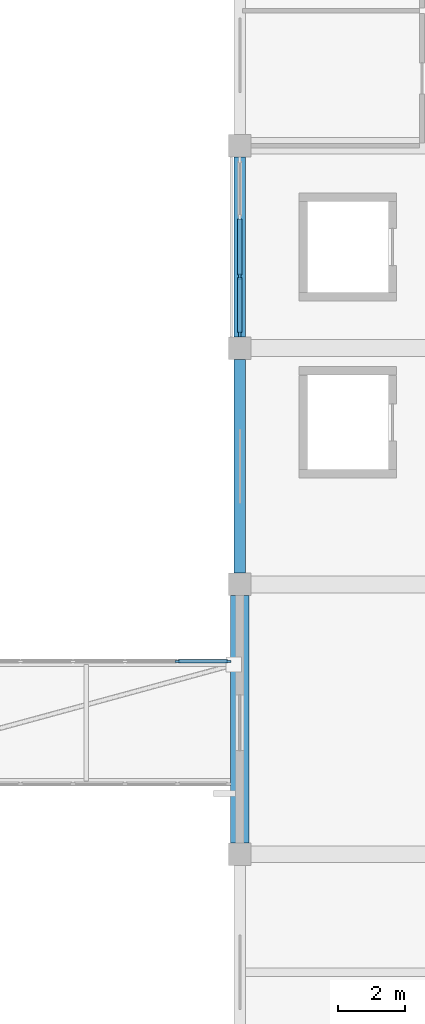
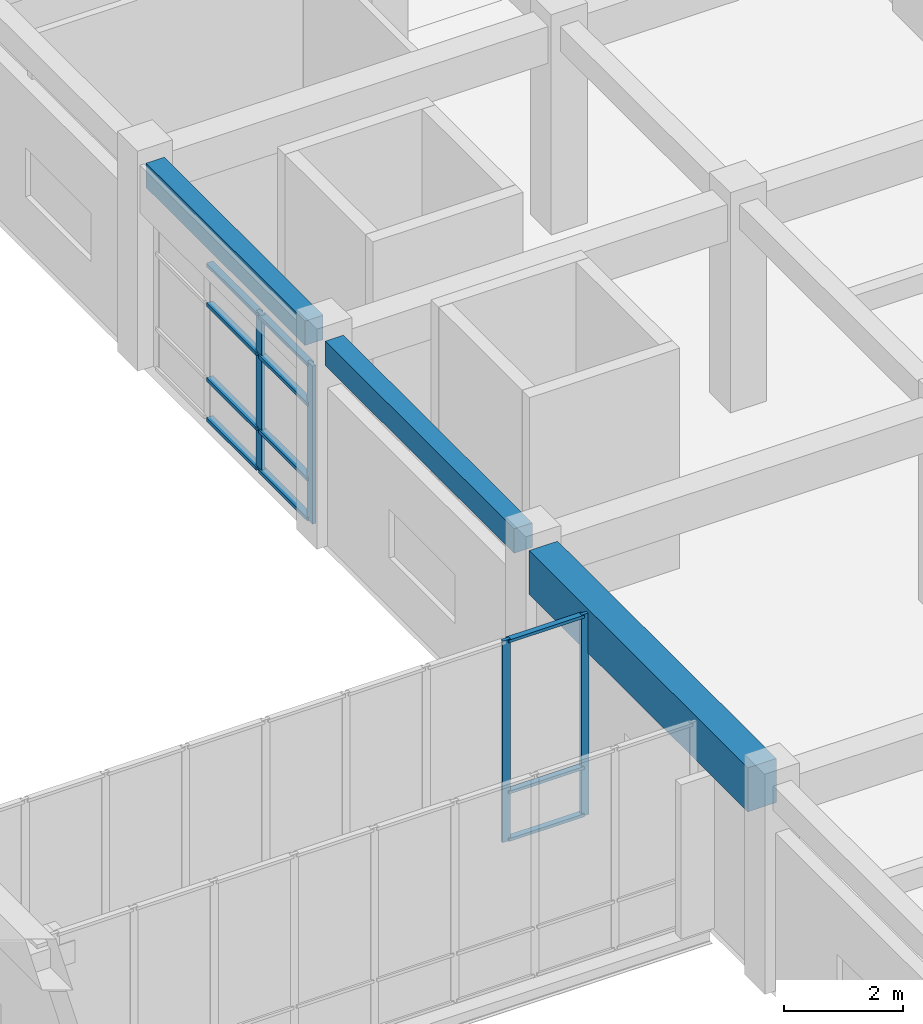
# One storey, part 23 of 72: 15 members, 3 beams, 2 elements without a shape of their own.
"""IFC4 building model written with IfcOpenShell, lengths in metres."""

import ifcopenshell
import ifcopenshell.guid

model = None  # the IFC model being written
_history = None  # IfcOwnerHistory: only IFC2X3 demands one
_inside = {}  # id of a spatial element -> (the spatial element, [elements in it])
_under = {}  # id of a project, library or spatial element -> (it, [spatial elements below it])
_declared = {}  # id of a project -> (the project, [libraries it declares])
_typed = {}  # id of a type object -> (the type object, [elements of that type])
_made_of = {}  # id of a material, layer set ... -> (it, [elements and type objects made of it])


def new_model(schema):
    """Start an empty IFC model of exactly this schema.

    Asked for "IFC4X3", IfcOpenShell would pick the latest addendum, in which some entities
    have other attributes; the version numbers below select the first issue.
    IFC2X3 requires an IfcOwnerHistory on every rooted entity: one is made here for all.
    """
    global model, _history
    if schema == "IFC4X3":
        model = ifcopenshell.file(schema_version=(4, 3, 0, 0))
    else:
        model = ifcopenshell.file(schema=schema)
    _inside.clear()
    _under.clear()
    _declared.clear()
    _typed.clear()
    _made_of.clear()
    _history = None
    if model.schema == "IFC2X3":
        org = make("IfcOrganization", Name="unknown")
        user = make(
            "IfcPersonAndOrganization",
            ThePerson=make("IfcPerson", FamilyName="unknown"),
            TheOrganization=org,
        )
        app = make(
            "IfcApplication",
            ApplicationDeveloper=org,
            Version="unknown",
            ApplicationFullName="unknown",
            ApplicationIdentifier="unknown",
        )
        _history = make(
            "IfcOwnerHistory",
            OwningUser=user,
            OwningApplication=app,
            ChangeAction="ADDED",
            CreationDate=0,
        )
    return model


def make(cls, **values):
    """One entity of the class cls with the attributes given. An attribute that is None is left unset."""
    return model.create_entity(
        cls, **{name: value for name, value in values.items() if value is not None}
    )


def rooted(cls, **values):
    """An entity with a GlobalId (a new one), such as an element, a storey or a relation."""
    return make(cls, GlobalId=ifcopenshell.guid.new(), OwnerHistory=_history, **values)


def si_unit(unit_type, name, prefix=None):
    """IfcSIUnit, for example si_unit("LENGTHUNIT", "METRE", prefix="MILLI")."""
    return make("IfcSIUnit", UnitType=unit_type, Prefix=prefix, Name=name)


def assignment(units):
    """IfcUnitAssignment: the units of a project."""
    return None if units is None else make("IfcUnitAssignment", Units=units)


def point(xyz):
    """IfcCartesianPoint."""
    return None if xyz is None else make("IfcCartesianPoint", Coordinates=xyz)


def direction(xyz):
    """IfcDirection."""
    return None if xyz is None else make("IfcDirection", DirectionRatios=xyz)


def frame(location, z_axis=None, x_axis=None):
    """IfcAxis2Placement3D, a coordinate frame: its origin and axes. An axis left out is left unset."""
    return make(
        "IfcAxis2Placement3D",
        Location=point(location),
        Axis=direction(z_axis),
        RefDirection=direction(x_axis),
    )


def frame_2d(location, x_axis=None):
    """IfcAxis2Placement2D, a coordinate frame in the plane: its origin and x axis."""
    return make(
        "IfcAxis2Placement2D", Location=point(location), RefDirection=direction(x_axis)
    )


def origin():
    """The frame at (0, 0, 0) with its axes left unset."""
    return frame((0.0, 0.0, 0.0))


def origin_2d():
    """The frame at (0, 0) in the plane with its x axis left unset."""
    return frame_2d((0.0, 0.0))


def place(relative_to, where):
    """IfcLocalPlacement: puts the frame where relative to a parent placement (None: the world)."""
    return make(
        "IfcLocalPlacement", PlacementRelTo=relative_to, RelativePlacement=where
    )


def context(
    kind, dimensions, precision=None, world=None, true_north=None, identifier=None
):
    """IfcGeometricRepresentationContext, for example the 3D "Model" context."""
    return make(
        "IfcGeometricRepresentationContext",
        ContextIdentifier=identifier,
        ContextType=kind,
        CoordinateSpaceDimension=dimensions,
        Precision=precision,
        WorldCoordinateSystem=world,
        TrueNorth=true_north,
    )


def subcontext(parent, identifier, kind, view, scale=None):
    """IfcGeometricRepresentationSubContext, for example "Body" below "Model"."""
    return make(
        "IfcGeometricRepresentationSubContext",
        ContextIdentifier=identifier,
        ContextType=kind,
        ParentContext=parent,
        TargetScale=scale,
        TargetView=view,
    )


def project(units=None, contexts=None):
    """IfcProject with its units and contexts."""
    return rooted(
        "IfcProject",
        Name="project",
        RepresentationContexts=contexts,
        UnitsInContext=assignment(units),
    )


def spatial(cls, under=None, at=None, **own):
    """A site, building, storey or space (cls), placed at a placement, below another one or the project."""
    s = rooted(cls, ObjectPlacement=at, **own)
    if under is not None:
        _under.setdefault(under.id(), (under, []))[1].append(s)
    return s


def profile(cls, at=None, kind="AREA", **sizes):
    """A parametric profile (cls). Its sizes go by their IFC names, for example OverallWidth=200.0."""
    return make(cls, ProfileType=kind, Position=at, **sizes)


def rectangle(**sizes):
    """IfcRectangleProfileDef."""
    return profile("IfcRectangleProfileDef", **sizes)


def extrude(swept, where, along, depth):
    """IfcExtrudedAreaSolid: the profile swept, set in the frame where, extruded along a direction by depth."""
    return make(
        "IfcExtrudedAreaSolid",
        SweptArea=swept,
        Position=where,
        ExtrudedDirection=direction(along),
        Depth=depth,
    )


def shape(context_of_items, identifier, shape_type, items):
    """IfcShapeRepresentation: the items that make up one representation, for example the "Body"."""
    return make(
        "IfcShapeRepresentation",
        ContextOfItems=context_of_items,
        RepresentationIdentifier=identifier,
        RepresentationType=shape_type,
        Items=items,
    )


def material(Name=None, Category=None):
    """IfcMaterial."""
    return make("IfcMaterial", Name=Name, Category=Category)


def layer(
    of_material, thickness, ventilated=None, Name=None, Category=None, Priority=None
):
    """IfcMaterialLayer: one layer of a wall or slab, of a material (None: an air gap)."""
    return make(
        "IfcMaterialLayer",
        Material=of_material,
        LayerThickness=thickness,
        IsVentilated=ventilated,
        Name=Name,
        Category=Category,
        Priority=Priority,
    )


def layer_set(layers, Name=None):
    """IfcMaterialLayerSet."""
    return make("IfcMaterialLayerSet", MaterialLayers=layers, LayerSetName=Name)


def material_profile(
    of_material, cross_section, Name=None, Category=None, Priority=None
):
    """IfcMaterialProfile: a cross section and its material."""
    return make(
        "IfcMaterialProfile",
        Name=Name,
        Material=of_material,
        Profile=cross_section,
        Priority=Priority,
        Category=Category,
    )


def profile_set(profiles, Name=None, composite=None):
    """IfcMaterialProfileSet."""
    return make(
        "IfcMaterialProfileSet",
        Name=Name,
        MaterialProfiles=profiles,
        CompositeProfile=composite,
    )


def made_of(thing, what):
    """Note that an element or type object is made of a material, layer set ...; save() writes the relation."""
    if what is not None:
        _made_of.setdefault(what.id(), (what, []))[1].append(thing)
    return thing


def type_object(cls, material=None, **own):
    """A type object (cls), such as IfcWallType, which elements share."""
    return made_of(rooted(cls, **own), material)


def element(
    cls,
    number,
    at=None,
    inside=None,
    cuts=None,
    type_object=None,
    material=None,
    context=None,
    identifier="Body",
    shape_type=None,
    held_by="IfcProductDefinitionShape",
    body=None,
    shapes=None,
    **own,
):
    """One element of the class cls, such as IfcWall. Its Tag is "e" and its number.

    at: its placement. inside: the storey or other place that contains it. cuts: it is an
    opening in that element (IfcRelVoidsElement). A single representation is given by context,
    identifier, shape_type and body (its items); several are given by shapes. held_by: the class
    of the entity that holds the representations. save() writes the other relations.
    """
    e = rooted(cls, Tag="e%d" % number, ObjectPlacement=at, **own)
    if body is not None:
        shapes = [shape(context, identifier, shape_type, body)]
    if shapes is not None:
        e.Representation = make(held_by, Representations=shapes)
    if inside is not None:
        _inside.setdefault(inside.id(), (inside, []))[1].append(e)
    if cuts is not None:
        rooted(
            "IfcRelVoidsElement", RelatingBuildingElement=cuts, RelatedOpeningElement=e
        )
    if type_object is not None:
        _typed.setdefault(type_object.id(), (type_object, []))[1].append(e)
    return made_of(e, material)


def aggregate(whole, parts):
    """IfcRelAggregates: a whole, such as a stair, and the parts it consists of."""
    return rooted("IfcRelAggregates", RelatingObject=whole, RelatedObjects=parts)


def save(model, path):
    """Write the relations noted so far, then the file.

    IfcRelAggregates (storeys below a building ...), IfcRelContainedInSpatialStructure (elements
    in a storey), IfcRelDefinesByType, IfcRelAssociatesMaterial and IfcRelDeclares: one each for
    every whole, place, type object, material and project.
    """
    for whole, parts in _under.values():
        aggregate(whole, parts)
    for where, things in _inside.values():
        rooted(
            "IfcRelContainedInSpatialStructure",
            RelatedElements=things,
            RelatingStructure=where,
        )
    for kind, things in _typed.values():
        rooted("IfcRelDefinesByType", RelatedObjects=things, RelatingType=kind)
    for what, things in _made_of.values():
        rooted("IfcRelAssociatesMaterial", RelatedObjects=things, RelatingMaterial=what)
    for by, libraries in _declared.values():
        rooted("IfcRelDeclares", RelatingContext=by, RelatedDefinitions=libraries)
    model.write(path)


model = new_model("IFC4")

# Units and contexts
model_context = context("Model", 3, precision=1e-05, world=origin(), true_north=direction((0.0, 1.0)))
body_context = subcontext(model_context, "Body", "Model", "MODEL_VIEW")
ifc_project = project(units=[si_unit("LENGTHUNIT", "METRE"), si_unit("AREAUNIT", "SQUARE_METRE"), si_unit("VOLUMEUNIT", "CUBIC_METRE"), si_unit("PLANEANGLEUNIT", "RADIAN"), si_unit("MASSUNIT", "GRAM", prefix="KILO")], contexts=[model_context])

# Site, building, storey
site_placement = place(None, origin())
site = spatial("IfcSite", under=ifc_project, at=site_placement, CompositionType="ELEMENT")
building_placement = place(site_placement, origin())
building = spatial("IfcBuilding", under=site, at=building_placement, Name="Naurynzar Civic Courthouse", CompositionType="ELEMENT")
storey_placement = place(building_placement, frame((0.0, 0.0, 9.89990234375)))
storey = spatial("IfcBuildingStorey", under=building, at=storey_placement, Name="L03", CompositionType="ELEMENT", Elevation=9.89990234375)

# Beams
ifc_material_1 = material(Name="Concrete C40/50", Category="concrete")
ifc_material_profile_1 = material_profile(ifc_material_1, rectangle(XDim=0.35009765625, YDim=0.5, at=origin_2d()), Name="RCB 350x500")
ifc_profile_set_1 = profile_set([ifc_material_profile_1], Name="Concrete C40/50")
beam_type_1 = type_object("IfcBeamType", Name="BM-RC-350x500", PredefinedType="BEAM", material=ifc_profile_set_1)
beam_1_placement = place(storey_placement, frame((130.0, 25.33740234375, 3.9501953125), z_axis=(0.0, 1.0, 0.0), x_axis=(-1.0, 0.0, 0.0)))
element("IfcBeam", 1, at=beam_1_placement, inside=storey, type_object=beam_type_1, Name="V5 girder Y-2426 L03", PredefinedType="BEAM", context=body_context, shape_type="SweptSolid", body=[
    extrude(rectangle(XDim=0.35009765625, YDim=0.5, at=origin_2d()), origin(), (0.0, 0.0, 1.0), 6.3251953125),
])
beam_2_placement = place(storey_placement, frame((130.0, 32.33740234375, 3.9501953125), z_axis=(0.0, 1.0, 0.0), x_axis=(-1.0, 0.0, 0.0)))
element("IfcBeam", 2, at=beam_2_placement, inside=storey, type_object=beam_type_1, Name="V5 girder Y-2427 L03", PredefinedType="BEAM", context=body_context, shape_type="SweptSolid", body=[
    extrude(rectangle(XDim=0.35009765625, YDim=0.5, at=origin_2d()), origin(), (0.0, 0.0, 1.0), 5.3251953125),
])
ifc_material_2 = material(Name="Concrete C40/50", Category="concrete")
ifc_material_profile_2 = material_profile(ifc_material_2, rectangle(XDim=0.550048828125, YDim=0.89990234375, at=origin_2d()), Name="RCB 550x900")
ifc_profile_set_2 = profile_set([ifc_material_profile_2], Name="Concrete C40/50")
beam_type_2 = type_object("IfcBeamType", Name="BM-RC-550x900", PredefinedType="T_BEAM", material=ifc_profile_set_2)
beam_3_placement = place(storey_placement, frame((130.0, 17.33740234375, 3.75), z_axis=(0.0, 1.0, 0.0), x_axis=(-1.0, 0.0, 0.0)))
element("IfcBeam", 3, at=beam_3_placement, inside=storey, type_object=beam_type_2, Name="V5 girder Y-2425 L03", PredefinedType="T_BEAM", context=body_context, shape_type="SweptSolid", body=[
    extrude(rectangle(XDim=0.550048828125, YDim=0.89990234375, at=origin_2d()), origin(), (0.0, 0.0, 1.0), 7.3251953125),
])

# Curtain wall, members
ifc_material_3 = material(Name="Aluminium 6063-T6", Category="aluminium")
ifc_layer_1 = layer(ifc_material_3, 0.14990234375)
ifc_layer_set_1 = layer_set([ifc_layer_1], Name="CW-BRIDGE-1500")
curtain_wall_type_1 = type_object("IfcCurtainWallType", Name="CW-BRIDGE-1500", PredefinedType="USERDEFINED", material=ifc_layer_set_1)
curtain_wall_1_placement = place(storey_placement, origin())
curtain_wall_1 = element("IfcCurtainWall", 4, at=curtain_wall_1_placement, inside=storey, type_object=curtain_wall_type_1, Name="BR-E2 glazed bridge screen L03.2", ObjectType="GLAZED BRIDGE SCREEN", PredefinedType="USERDEFINED")
ifc_material_4 = material(Name="Aluminium 6063-T6", Category="aluminium")
ifc_material_profile_3 = material_profile(ifc_material_4, rectangle(XDim=0.06005859375, YDim=0.14990234375, at=origin_2d()), Name="ALU MULLION 60x150")
ifc_profile_set_3 = profile_set([ifc_material_profile_3], Name="Aluminium 6063-T6")
member_type_1 = type_object("IfcMemberType", Name="CWM-60x150", PredefinedType="MULLION", material=ifc_profile_set_3)
member_1_placement = place(storey_placement, frame((129.669921875, 22.719970703125, 0.0), z_axis=(0.0, 0.0, 1.0), x_axis=(0.0, -1.0, 0.0)))
member_1 = element("IfcMember", 5, at=member_1_placement, type_object=member_type_1, Name="CW-03 mullion 1", PredefinedType="MULLION", context=body_context, shape_type="SweptSolid", body=[
    extrude(rectangle(XDim=0.06005859375, YDim=0.14990234375, at=origin_2d()), origin(), (0.0, 0.0, 1.0), 4.1201171875),
])
member_2_placement = place(storey_placement, frame((128.14990234375, 22.719970703125, 0.0), z_axis=(0.0, 0.0, 1.0), x_axis=(0.0, -1.0, 0.0)))
member_2 = element("IfcMember", 6, at=member_2_placement, type_object=member_type_1, Name="CW-03 mullion 2", PredefinedType="MULLION", context=body_context, shape_type="SweptSolid", body=[
    extrude(rectangle(XDim=0.06005859375, YDim=0.14990234375, at=origin_2d()), origin(), (0.0, 0.0, 1.0), 4.1201171875),
])

ifc_material_5 = material(Name="Aluminium 6063-T6", Category="aluminium")
ifc_layer_2 = layer(ifc_material_5, 0.159912109375)
ifc_layer_set_2 = layer_set([ifc_layer_2], Name="CW-UNIT-1800")
curtain_wall_type_2 = type_object("IfcCurtainWallType", Name="CW-UNIT-1800", PredefinedType="NOTDEFINED", material=ifc_layer_set_2)
curtain_wall_2_placement = place(storey_placement, origin())
curtain_wall_2 = element("IfcCurtainWall", 7, at=curtain_wall_2_placement, inside=storey, type_object=curtain_wall_type_2, Name="V5 unitised curtain wall 91 L03", PredefinedType="NOTDEFINED")
ifc_material_6 = material(Name="Aluminium 6063-T6", Category="aluminium")
ifc_material_profile_4 = material_profile(ifc_material_6, rectangle(XDim=0.070068359375, YDim=0.179931640625, at=origin_2d()), Name="ALU MULLION 70x180")
ifc_profile_set_4 = profile_set([ifc_material_profile_4], Name="Aluminium 6063-T6")
member_type_2 = type_object("IfcMemberType", Name="CWM-70x180", PredefinedType="MULLION", material=ifc_profile_set_4)
member_3_placement = place(storey_placement, frame((130.0, 32.422607421875, 0.0), z_axis=(0.0, 0.0, 1.0), x_axis=(-1.0, 0.0, 0.0)))
member_3 = element("IfcMember", 8, at=member_3_placement, type_object=member_type_2, Name="CW-02 mullion 1", PredefinedType="MULLION", context=body_context, shape_type="SweptSolid", body=[
    extrude(rectangle(XDim=0.070068359375, YDim=0.179931640625, at=origin_2d()), origin(), (0.0, 0.0, 1.0), 3.22998046875),
])
member_4_placement = place(storey_placement, frame((130.0, 34.129150390625, 0.0), z_axis=(0.0, 0.0, 1.0), x_axis=(-1.0, 0.0, 0.0)))
member_4 = element("IfcMember", 9, at=member_4_placement, type_object=member_type_2, Name="CW-02 mullion 2", PredefinedType="MULLION", context=body_context, shape_type="SweptSolid", body=[
    extrude(rectangle(XDim=0.070068359375, YDim=0.179931640625, at=origin_2d()), origin(), (0.0, 0.0, 1.0), 3.22998046875),
])

# Member
ifc_material_7 = material(Name="Aluminium 6063-T6", Category="aluminium")
ifc_material_profile_5 = material_profile(ifc_material_7, rectangle(XDim=0.110107421875, YDim=0.06005859375, at=origin_2d()), Name="ALU TRANSOM 60x110")
ifc_profile_set_5 = profile_set([ifc_material_profile_5], Name="Aluminium 6063-T6")
member_type_3 = type_object("IfcMemberType", Name="CWT-60x110", PredefinedType="USERDEFINED", material=ifc_profile_set_5)
member_5_placement = place(storey_placement, frame((129.639892578125, 22.719970703125, 0.030029296875), z_axis=(-1.0, 0.0, 0.0), x_axis=(0.0, -1.0, 0.0)))
member_5 = element("IfcMember", 10, at=member_5_placement, type_object=member_type_3, Name="CW-03 transom 1.1", ObjectType="TRANSOM", PredefinedType="USERDEFINED", context=body_context, shape_type="SweptSolid", body=[
    extrude(rectangle(XDim=0.110107421875, YDim=0.06005859375, at=origin_2d()), origin(), (0.0, 0.0, 1.0), 1.4599609375),
])

member_6_placement = place(storey_placement, frame((129.639892578125, 22.719970703125, 1.0), z_axis=(-1.0, 0.0, 0.0), x_axis=(0.0, -1.0, 0.0)))
member_6 = element("IfcMember", 11, at=member_6_placement, type_object=member_type_3, Name="CW-03 transom 1.2", ObjectType="TRANSOM", PredefinedType="USERDEFINED", context=body_context, shape_type="SweptSolid", body=[
    extrude(rectangle(XDim=0.110107421875, YDim=0.06005859375, at=origin_2d()), origin(), (0.0, 0.0, 1.0), 1.4599609375),
])

member_7_placement = place(storey_placement, frame((129.639892578125, 22.719970703125, 4.090087890625), z_axis=(-1.0, 0.0, 0.0), x_axis=(0.0, -1.0, 0.0)))
member_7 = element("IfcMember", 12, at=member_7_placement, type_object=member_type_3, Name="CW-03 transom 1.3", ObjectType="TRANSOM", PredefinedType="USERDEFINED", context=body_context, shape_type="SweptSolid", body=[
    extrude(rectangle(XDim=0.110107421875, YDim=0.06005859375, at=origin_2d()), origin(), (0.0, 0.0, 1.0), 1.4599609375),
])

aggregate(curtain_wall_1, [member_1, member_2, member_5, member_6, member_7])

ifc_material_8 = material(Name="Aluminium 6063-T6", Category="aluminium")
ifc_material_profile_6 = material_profile(ifc_material_8, rectangle(XDim=0.1298828125, YDim=0.070068359375, at=origin_2d()), Name="ALU TRANSOM 70x130")
ifc_profile_set_6 = profile_set([ifc_material_profile_6], Name="Aluminium 6063-T6")
member_type_4 = type_object("IfcMemberType", Name="CWT-70x130", PredefinedType="USERDEFINED", material=ifc_profile_set_6)
member_8_placement = place(storey_placement, frame((130.0, 32.45751953125, 0.03515625), z_axis=(0.0, 1.0, 0.0), x_axis=(-1.0, 0.0, 0.0)))
member_8 = element("IfcMember", 13, at=member_8_placement, type_object=member_type_4, Name="CW-02 transom 1.1", ObjectType="TRANSOM", PredefinedType="USERDEFINED", context=body_context, shape_type="SweptSolid", body=[
    extrude(rectangle(XDim=0.1298828125, YDim=0.070068359375, at=origin_2d()), origin(), (0.0, 0.0, 1.0), 1.63671875),
])

member_9_placement = place(storey_placement, frame((130.0, 32.45751953125, 0.85009765625), z_axis=(0.0, 1.0, 0.0), x_axis=(-1.0, 0.0, 0.0)))
member_9 = element("IfcMember", 14, at=member_9_placement, type_object=member_type_4, Name="CW-02 transom 1.2", ObjectType="TRANSOM", PredefinedType="USERDEFINED", context=body_context, shape_type="SweptSolid", body=[
    extrude(rectangle(XDim=0.1298828125, YDim=0.070068359375, at=origin_2d()), origin(), (0.0, 0.0, 1.0), 1.63671875),
])

member_10_placement = place(storey_placement, frame((130.0, 32.45751953125, 2.380126953125), z_axis=(0.0, 1.0, 0.0), x_axis=(-1.0, 0.0, 0.0)))
member_10 = element("IfcMember", 15, at=member_10_placement, type_object=member_type_4, Name="CW-02 transom 1.3", ObjectType="TRANSOM", PredefinedType="USERDEFINED", context=body_context, shape_type="SweptSolid", body=[
    extrude(rectangle(XDim=0.1298828125, YDim=0.070068359375, at=origin_2d()), origin(), (0.0, 0.0, 1.0), 1.63671875),
])

member_11_placement = place(storey_placement, frame((130.0, 32.45751953125, 3.195068359375), z_axis=(0.0, 1.0, 0.0), x_axis=(-1.0, 0.0, 0.0)))
member_11 = element("IfcMember", 16, at=member_11_placement, type_object=member_type_4, Name="CW-02 transom 1.4", ObjectType="TRANSOM", PredefinedType="USERDEFINED", context=body_context, shape_type="SweptSolid", body=[
    extrude(rectangle(XDim=0.1298828125, YDim=0.070068359375, at=origin_2d()), origin(), (0.0, 0.0, 1.0), 1.63671875),
])

member_12_placement = place(storey_placement, frame((130.0, 34.1640625, 0.03515625), z_axis=(0.0, 1.0, 0.0), x_axis=(-1.0, 0.0, 0.0)))
member_12 = element("IfcMember", 17, at=member_12_placement, type_object=member_type_4, Name="CW-02 transom 2.1", ObjectType="TRANSOM", PredefinedType="USERDEFINED", context=body_context, shape_type="SweptSolid", body=[
    extrude(rectangle(XDim=0.1298828125, YDim=0.070068359375, at=origin_2d()), origin(), (0.0, 0.0, 1.0), 1.671875),
])

member_13_placement = place(storey_placement, frame((130.0, 34.1640625, 0.85009765625), z_axis=(0.0, 1.0, 0.0), x_axis=(-1.0, 0.0, 0.0)))
member_13 = element("IfcMember", 18, at=member_13_placement, type_object=member_type_4, Name="CW-02 transom 2.2", ObjectType="TRANSOM", PredefinedType="USERDEFINED", context=body_context, shape_type="SweptSolid", body=[
    extrude(rectangle(XDim=0.1298828125, YDim=0.070068359375, at=origin_2d()), origin(), (0.0, 0.0, 1.0), 1.671875),
])

member_14_placement = place(storey_placement, frame((130.0, 34.1640625, 2.380126953125), z_axis=(0.0, 1.0, 0.0), x_axis=(-1.0, 0.0, 0.0)))
member_14 = element("IfcMember", 19, at=member_14_placement, type_object=member_type_4, Name="CW-02 transom 2.3", ObjectType="TRANSOM", PredefinedType="USERDEFINED", context=body_context, shape_type="SweptSolid", body=[
    extrude(rectangle(XDim=0.1298828125, YDim=0.070068359375, at=origin_2d()), origin(), (0.0, 0.0, 1.0), 1.671875),
])

member_15_placement = place(storey_placement, frame((130.0, 34.1640625, 3.195068359375), z_axis=(0.0, 1.0, 0.0), x_axis=(-1.0, 0.0, 0.0)))
member_15 = element("IfcMember", 20, at=member_15_placement, type_object=member_type_4, Name="CW-02 transom 2.4", ObjectType="TRANSOM", PredefinedType="USERDEFINED", context=body_context, shape_type="SweptSolid", body=[
    extrude(rectangle(XDim=0.1298828125, YDim=0.070068359375, at=origin_2d()), origin(), (0.0, 0.0, 1.0), 1.671875),
])

aggregate(curtain_wall_2, [member_3, member_4, member_8, member_9, member_10, member_11, member_12, member_13, member_14, member_15])

save(model, "model.ifc")
